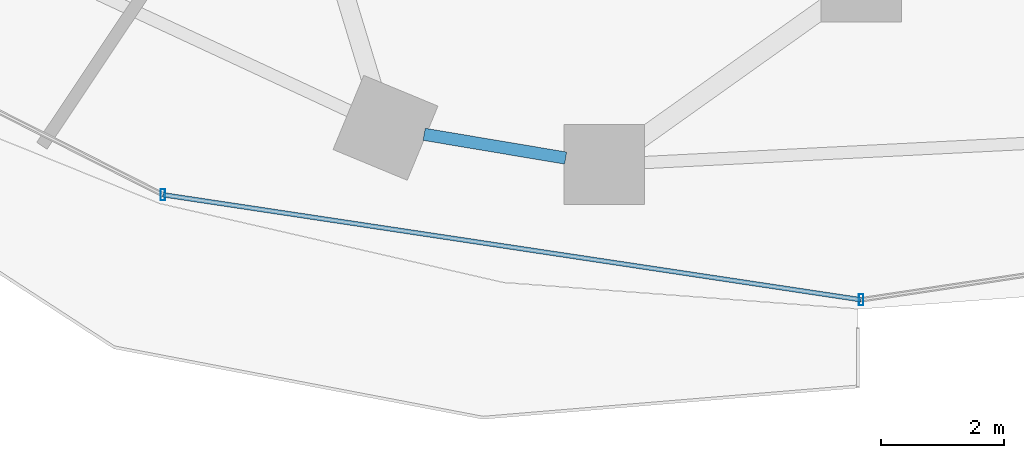
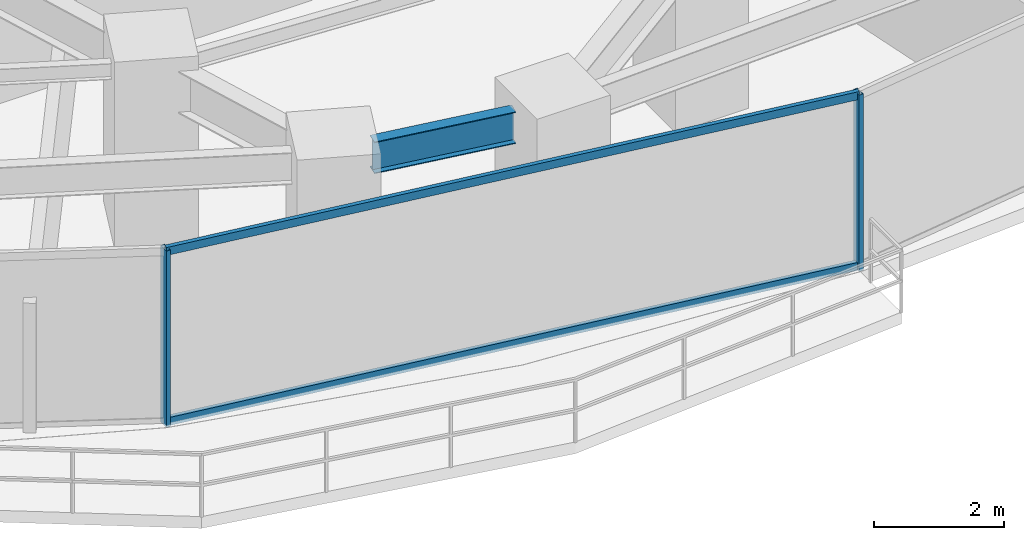
# One storey, part 5 of 33: 4 members, 1 beam, 1 element without a shape of its own.
"""IFC4 building model written with IfcOpenShell, lengths in metres."""

from ifc_helpers import new_model, si_unit, direction, frame, origin, origin_2d, place, context, subcontext, project, spatial, hollow_rectangle, i_section, extrude, material, material_profile, profile_set, type_object, element, aggregate, save


model = new_model("IFC4")

# Units and contexts
model_context = context("Model", 3, precision=1e-05, world=origin(), true_north=direction((0.0, 1.0)))
body_context = subcontext(model_context, "Body", "Model", "MODEL_VIEW")
ifc_project = project(units=[si_unit("LENGTHUNIT", "METRE"), si_unit("AREAUNIT", "SQUARE_METRE"), si_unit("VOLUMEUNIT", "CUBIC_METRE"), si_unit("PLANEANGLEUNIT", "RADIAN"), si_unit("MASSUNIT", "GRAM", prefix="KILO")], contexts=[model_context])

# Site, building, storey
site_placement = place(None, origin())
site = spatial("IfcSite", under=ifc_project, at=site_placement, CompositionType="ELEMENT")
building_placement = place(site_placement, origin())
building = spatial("IfcBuilding", under=site, at=building_placement, Name="Vorneva Point Tower", CompositionType="ELEMENT")
storey_placement = place(building_placement, frame((0.0, 0.0, 34.5)))
storey = spatial("IfcBuildingStorey", under=building, at=storey_placement, Name="L08", CompositionType="ELEMENT", Elevation=34.5)

# Beam
ifc_material_1 = material(Name="Steel S355", Category="steel")
ifc_material_profile_1 = material_profile(ifc_material_1, i_section(OverallWidth=0.198974609375, OverallDepth=0.595947265625, WebThickness=0.010009765625, FlangeThickness=0.014892578125, at=origin_2d()), Name="60B1")
ifc_profile_set_1 = profile_set([ifc_material_profile_1], Name="Steel S355")
beam_type = type_object("IfcBeamType", Name="BM-SPN-60B1", PredefinedType="SPANDREL", material=ifc_profile_set_1)
beam_placement = place(storey_placement, frame((30.923095703125, 6.330078125, 2.94189453125), z_axis=(0.986171485548, -0.165728093852, 0.0), x_axis=(0.165728093852, 0.986171485548, 0.0)))
element("IfcBeam", 1, at=beam_placement, inside=storey, type_object=beam_type, Name="L08 Perimeter Spandrel Ring Beam 12", PredefinedType="SPANDREL", context=body_context, shape_type="SweptSolid", body=[
    extrude(i_section(OverallWidth=0.198974609375, OverallDepth=0.595947265625, WebThickness=0.010009765625, FlangeThickness=0.014892578125, at=origin_2d()), origin(), (0.0, 0.0, 1.0), 2.3232421875),
])

# Curtain wall, members
ifc_material_2 = material(Name="Pale anodised aluminium", Category="aluminium")
curtain_wall_type = type_object("IfcCurtainWallType", Name="CW-HTL-SYS", PredefinedType="NOTDEFINED", material=ifc_material_2)
curtain_wall_placement = place(storey_placement, origin())
curtain_wall = element("IfcCurtainWall", 2, at=curtain_wall_placement, inside=storey, type_object=curtain_wall_type, Name="L08 Unitised Curtain Wall CW-L08-R04", PredefinedType="NOTDEFINED")
ifc_material_profile_2 = material_profile(ifc_material_2, hollow_rectangle(XDim=0.074951171875, YDim=0.179931640625, WallThickness=0.00390625, at=origin_2d()), Name="AL-MUL 180x75x4")
ifc_profile_set_2 = profile_set([ifc_material_profile_2], Name="Pale anodised aluminium")
member_type_1 = type_object("IfcMemberType", Name="CW-MUL-180", PredefinedType="MULLION", material=ifc_profile_set_2)
member_1_placement = place(storey_placement, frame((26.691650390625, 5.351318359375, -0.0400390625), z_axis=(0.0, 0.0, 1.0), x_axis=(1.0, 0.0, 0.0)))
member_1 = element("IfcMember", 3, at=member_1_placement, type_object=member_type_1, Name="CW-L08-R04 Mullion 02", PredefinedType="MULLION", context=body_context, shape_type="SweptSolid", body=[
    extrude(hollow_rectangle(XDim=0.074951171875, YDim=0.179931640625, WallThickness=0.00390625, at=origin_2d()), origin(), (0.0, 0.0, 1.0), 3.31005859375),
])
member_2_placement = place(storey_placement, frame((38.0, 3.64990234375, -0.0400390625), z_axis=(0.0, 0.0, 1.0), x_axis=(1.0, 0.0, 0.0)))
member_2 = element("IfcMember", 4, at=member_2_placement, type_object=member_type_1, Name="CW-L08-R04 Mullion 03", PredefinedType="MULLION", context=body_context, shape_type="SweptSolid", body=[
    extrude(hollow_rectangle(XDim=0.074951171875, YDim=0.179931640625, WallThickness=0.00390625, at=origin_2d()), origin(), (0.0, 0.0, 1.0), 3.31005859375),
])
ifc_material_profile_3 = material_profile(ifc_material_2, hollow_rectangle(XDim=0.074951171875, YDim=0.14990234375, WallThickness=0.00390625, at=origin_2d()), Name="AL-TRN 150x75x4")
ifc_profile_set_3 = profile_set([ifc_material_profile_3], Name="Pale anodised aluminium")
member_type_2 = type_object("IfcMemberType", Name="CW-TRN-150", PredefinedType="USERDEFINED", material=ifc_profile_set_3)
member_3_placement = place(storey_placement, frame((26.691650390625, 5.351318359375, 0.02001953125), z_axis=(0.988870014575, -0.148782036131, 0.0), x_axis=(0.148782036131, 0.988870014575, 0.0)))
member_3 = element("IfcMember", 5, at=member_3_placement, type_object=member_type_2, Name="CW-L08-R04 Transom 02.1", ObjectType="TRANSOM", PredefinedType="USERDEFINED", context=body_context, shape_type="SweptSolid", body=[
    extrude(hollow_rectangle(XDim=0.074951171875, YDim=0.14990234375, WallThickness=0.00390625, at=origin_2d()), origin(), (0.0, 0.0, 1.0), 11.435546875),
])
member_4_placement = place(storey_placement, frame((26.691650390625, 5.351318359375, 3.219970703125), z_axis=(0.988870014575, -0.148782036131, 0.0), x_axis=(0.148782036131, 0.988870014575, 0.0)))
member_4 = element("IfcMember", 6, at=member_4_placement, type_object=member_type_2, Name="CW-L08-R04 Transom 02.2", ObjectType="TRANSOM", PredefinedType="USERDEFINED", context=body_context, shape_type="SweptSolid", body=[
    extrude(hollow_rectangle(XDim=0.074951171875, YDim=0.14990234375, WallThickness=0.00390625, at=origin_2d()), origin(), (0.0, 0.0, 1.0), 11.435546875),
])
aggregate(curtain_wall, [member_1, member_2, member_3, member_4])

save(model, "model.ifc")
